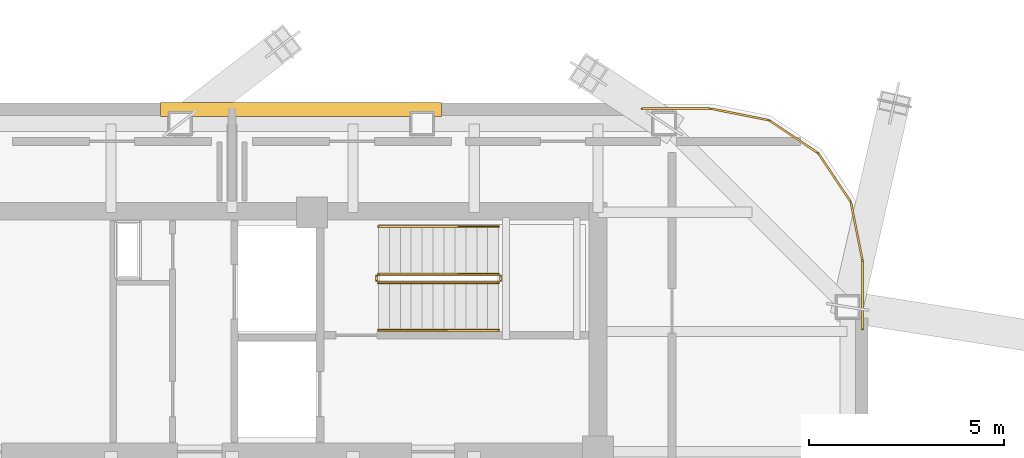
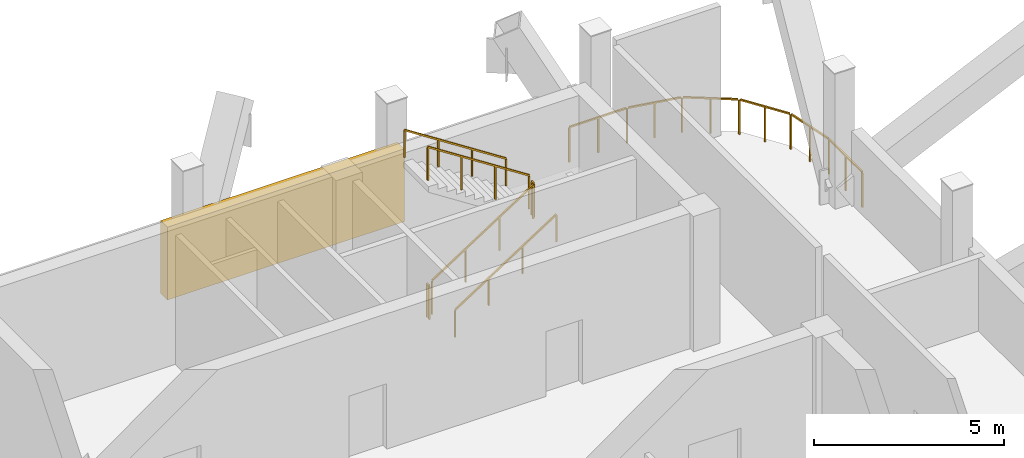
# One storey, part 7 of 7: 7 railings, 1 shading device.
"""IFC4 building model written with IfcOpenShell, lengths in metres."""

from ifc_helpers import new_model, si_unit, direction, frame, origin, origin_2d, place, context, subcontext, project, spatial, rectangle, extrude, material, type_object, element, save


model = new_model("IFC4")

# Units and contexts
model_context = context("Model", 3, precision=1e-05, world=origin(), true_north=direction((0.0, 1.0)))
body_context = subcontext(model_context, "Body", "Model", "MODEL_VIEW")
ifc_project = project(units=[si_unit("LENGTHUNIT", "METRE"), si_unit("AREAUNIT", "SQUARE_METRE"), si_unit("VOLUMEUNIT", "CUBIC_METRE"), si_unit("PLANEANGLEUNIT", "RADIAN"), si_unit("MASSUNIT", "GRAM", prefix="KILO")], contexts=[model_context])

# Site, building, storey
site_placement = place(None, origin())
site = spatial("IfcSite", under=ifc_project, at=site_placement, CompositionType="ELEMENT")
building_placement = place(site_placement, origin())
building = spatial("IfcBuilding", under=site, at=building_placement, Name="Qhalaya Broadcast Tower", CompositionType="ELEMENT")
storey_placement = place(building_placement, frame((0.0, 0.0, 238.5)))
storey = spatial("IfcBuildingStorey", under=building, at=storey_placement, Name="L70", CompositionType="ELEMENT", Elevation=238.5)

# Shading device
ifc_material_1 = material(Name="Fired Architectural Terracotta", Category="masonry")
shading_device_type = type_object("IfcShadingDeviceType", Name="Plant & Turbine-Slot Acoustic Louvre Screen LVS-01", PredefinedType="USERDEFINED", material=ifc_material_1)
shading_device_placement = place(storey_placement, frame((1.77001953125, 12.590087890625, 0.0), z_axis=(0.0, 0.0, 1.0), x_axis=(1.0, 0.0, 0.0)))
element("IfcShadingDevice", 1, at=shading_device_placement, inside=storey, type_object=shading_device_type, Name="L70 Plant Acoustic Louvre Screen N", ObjectType="LOUVRE", PredefinedType="USERDEFINED", context=body_context, shape_type="SweptSolid", body=[
    extrude(rectangle(XDim=7.199951171875, YDim=0.360107421875, at=origin_2d()), origin(), (0.0, 0.0, 1.0), 2.340087890625),
])

# Railings
ifc_material_2 = material(Name="Powder-Coated Galvanised Steel", Category="steel")
railing_type_1 = type_object("IfcRailingType", Name="Stair Wall Handrail 900", PredefinedType="HANDRAIL", material=ifc_material_2)
railing_1_placement = place(storey_placement, frame((3.75, 6.929931640625, 0.18115234375)))
element("IfcRailing", 2, at=railing_1_placement, inside=storey, type_object=railing_type_1, Name="L70 ST-1 Stair Handrail 1", PredefinedType="HANDRAIL", context=body_context, shape_type="SweptSolid", body=[
    extrude(rectangle(XDim=0.048095703125, YDim=0.048095703125, at=origin_2d()), frame((0.0, 0.0, 0.8759765625), z_axis=(0.8394576718, 0.0, 0.543425079708), x_axis=(0.0, 1.0, 0.0)), (0.0, 0.0, 1.0), 3.669189453125),
    extrude(rectangle(XDim=0.0419921875, YDim=0.0419921875, at=origin_2d()), origin(), (0.0, 0.0, 1.0), 0.849853515625),
    extrude(rectangle(XDim=0.0419921875, YDim=0.0419921875, at=origin_2d()), frame((1.026611328125, 0.0, 0.66455078125)), (0.0, 0.0, 1.0), 0.849853515625),
    extrude(rectangle(XDim=0.0419921875, YDim=0.0419921875, at=origin_2d()), frame((2.053466796875, 0.0, 1.329345703125)), (0.0, 0.0, 1.0), 0.849853515625),
    extrude(rectangle(XDim=0.0419921875, YDim=0.0419921875, at=origin_2d()), frame((3.080078125, 0.0, 1.993896484375)), (0.0, 0.0, 1.0), 0.849853515625),
])
railing_2_placement = place(storey_placement, frame((6.830078125, 9.590087890625, 2.356201171875)))
element("IfcRailing", 3, at=railing_2_placement, inside=storey, type_object=railing_type_1, Name="L70 ST-1 Stair Handrail 2", PredefinedType="HANDRAIL", context=body_context, shape_type="SweptSolid", body=[
    extrude(rectangle(XDim=0.048095703125, YDim=0.048095703125, at=origin_2d()), frame((0.0, 0.0, 0.8759765625), z_axis=(-0.8394576718, 0.0, 0.543425079708), x_axis=(0.0, -1.0, 0.0)), (0.0, 0.0, 1.0), 3.669189453125),
    extrude(rectangle(XDim=0.0419921875, YDim=0.0419921875, at=origin_2d()), origin(), (0.0, 0.0, 1.0), 0.849853515625),
    extrude(rectangle(XDim=0.0419921875, YDim=0.0419921875, at=origin_2d()), frame((-1.026611328125, 0.0, 0.66455078125)), (0.0, 0.0, 1.0), 0.849853515625),
    extrude(rectangle(XDim=0.0419921875, YDim=0.0419921875, at=origin_2d()), frame((-2.053466796875, 0.0, 1.329345703125)), (0.0, 0.0, 1.0), 0.849853515625),
    extrude(rectangle(XDim=0.0419921875, YDim=0.0419921875, at=origin_2d()), frame((-3.080078125, 0.0, 1.993896484375)), (0.0, 0.0, 1.0), 0.849853515625),
])
railing_type_2 = type_object("IfcRailingType", Name="Stair Well & Landing Guardrail 1100", PredefinedType="GUARDRAIL", material=ifc_material_2)
railing_3_placement = place(storey_placement, frame((3.75, 8.14990234375, 0.18115234375)))
element("IfcRailing", 4, at=railing_3_placement, inside=storey, type_object=railing_type_2, Name="L70 ST-1 Stair Guard 1", PredefinedType="GUARDRAIL", context=body_context, shape_type="SweptSolid", body=[
    extrude(rectangle(XDim=0.048095703125, YDim=0.048095703125, at=origin_2d()), frame((0.0, 0.0, 1.076171875), z_axis=(0.8394576718, 0.0, 0.543425079708), x_axis=(0.0, 1.0, 0.0)), (0.0, 0.0, 1.0), 3.669189453125),
    extrude(rectangle(XDim=0.0419921875, YDim=0.0419921875, at=origin_2d()), origin(), (0.0, 0.0, 1.0), 1.050048828125),
    extrude(rectangle(XDim=0.0419921875, YDim=0.0419921875, at=origin_2d()), frame((1.026611328125, 0.0, 0.66455078125)), (0.0, 0.0, 1.0), 1.050048828125),
    extrude(rectangle(XDim=0.0419921875, YDim=0.0419921875, at=origin_2d()), frame((2.053466796875, 0.0, 1.329345703125)), (0.0, 0.0, 1.0), 1.050048828125),
    extrude(rectangle(XDim=0.0419921875, YDim=0.0419921875, at=origin_2d()), frame((3.080078125, 0.0, 1.993896484375)), (0.0, 0.0, 1.0), 1.050048828125),
])
railing_4_placement = place(storey_placement, frame((6.8798828125, 8.199951171875, 2.175048828125)))
element("IfcRailing", 5, at=railing_4_placement, inside=storey, type_object=railing_type_2, Name="L70 ST-1 Stair Guard 2", PredefinedType="GUARDRAIL", context=body_context, shape_type="SweptSolid", body=[
    extrude(rectangle(XDim=0.048095703125, YDim=0.048095703125, at=origin_2d()), frame((0.0, 0.0, 1.076171875), z_axis=(0.0, 1.0, 0.0), x_axis=(-1.0, 0.0, 0.0)), (0.0, 0.0, 1.0), 0.1201171875),
    extrude(rectangle(XDim=0.0419921875, YDim=0.0419921875, at=origin_2d()), origin(), (0.0, 0.0, 1.0), 1.050048828125),
    extrude(rectangle(XDim=0.0419921875, YDim=0.0419921875, at=origin_2d()), frame((0.0, 0.1201171875, 0.0)), (0.0, 0.0, 1.0), 1.050048828125),
])
railing_5_placement = place(storey_placement, frame((6.830078125, 8.3701171875, 2.356201171875)))
element("IfcRailing", 6, at=railing_5_placement, inside=storey, type_object=railing_type_2, Name="L70 ST-1 Stair Guard 3", PredefinedType="GUARDRAIL", context=body_context, shape_type="SweptSolid", body=[
    extrude(rectangle(XDim=0.048095703125, YDim=0.048095703125, at=origin_2d()), frame((0.0, 0.0, 1.076171875), z_axis=(-0.8394576718, 0.0, 0.543425079708), x_axis=(0.0, -1.0, 0.0)), (0.0, 0.0, 1.0), 3.669189453125),
    extrude(rectangle(XDim=0.0419921875, YDim=0.0419921875, at=origin_2d()), origin(), (0.0, 0.0, 1.0), 1.050048828125),
    extrude(rectangle(XDim=0.0419921875, YDim=0.0419921875, at=origin_2d()), frame((-1.026611328125, 0.0, 0.66455078125)), (0.0, 0.0, 1.0), 1.050048828125),
    extrude(rectangle(XDim=0.0419921875, YDim=0.0419921875, at=origin_2d()), frame((-2.053466796875, 0.0, 1.329345703125)), (0.0, 0.0, 1.0), 1.050048828125),
    extrude(rectangle(XDim=0.0419921875, YDim=0.0419921875, at=origin_2d()), frame((-3.080078125, 0.0, 1.993896484375)), (0.0, 0.0, 1.0), 1.050048828125),
])
railing_6_placement = place(storey_placement, frame((3.699951171875, 8.199951171875, 0.0)))
element("IfcRailing", 7, at=railing_6_placement, inside=storey, type_object=railing_type_2, Name="L70 ST-1 Stair Guard 4", PredefinedType="GUARDRAIL", context=body_context, shape_type="SweptSolid", body=[
    extrude(rectangle(XDim=0.048095703125, YDim=0.048095703125, at=origin_2d()), frame((0.0, 0.0, 1.076171875), z_axis=(0.0, 1.0, 0.0), x_axis=(-1.0, 0.0, 0.0)), (0.0, 0.0, 1.0), 0.1201171875),
    extrude(rectangle(XDim=0.0419921875, YDim=0.0419921875, at=origin_2d()), origin(), (0.0, 0.0, 1.0), 1.050048828125),
    extrude(rectangle(XDim=0.0419921875, YDim=0.0419921875, at=origin_2d()), frame((0.0, 0.1201171875, 0.0)), (0.0, 0.0, 1.0), 1.050048828125),
])
railing_type_3 = type_object("IfcRailingType", Name="Terrace, Sky-Pool & Lookout Glass Balustrade 1150", PredefinedType="BALUSTRADE", material=ifc_material_2)
railing_7_placement = place(storey_placement, frame((10.501953125, 12.610107421875, 0.0)))
element("IfcRailing", 8, at=railing_7_placement, inside=storey, type_object=railing_type_3, Name="L70 Rounded Corner Perimeter Guard 04", PredefinedType="BALUSTRADE", context=body_context, shape_type="SweptSolid", body=[
    extrude(rectangle(XDim=0.048095703125, YDim=0.048095703125, at=origin_2d()), frame((0.0, 0.0, 1.1259765625), z_axis=(1.0, 0.0, 0.0), x_axis=(0.0, 1.0, 0.0)), (0.0, 0.0, 1.0), 1.7275390625),
    extrude(rectangle(XDim=0.048095703125, YDim=0.048095703125, at=origin_2d()), frame((1.78466796875, -0.005615234375, 1.1259765625), z_axis=(0.980771099361, -0.195161601391, 0.0), x_axis=(0.195161601391, 0.980771099361, 0.0)), (0.0, 0.0, 1.0), 1.46728515625),
    extrude(rectangle(XDim=0.048095703125, YDim=0.048095703125, at=origin_2d()), frame((3.27587890625, -0.313720703125, 1.1259765625), z_axis=(0.83147889372, -0.555556342146, 0.0), x_axis=(0.555556342146, 0.83147889372, 0.0)), (0.0, 0.0, 1.0), 1.455322265625),
    extrude(rectangle(XDim=0.048095703125, YDim=0.048095703125, at=origin_2d()), frame((4.526123046875, -1.162109375, 1.1259765625), z_axis=(0.555556342146, -0.83147889372, 0.0), x_axis=(0.83147889372, 0.555556342146, 0.0)), (0.0, 0.0, 1.0), 1.455322265625),
    extrude(rectangle(XDim=0.048095703125, YDim=0.048095703125, at=origin_2d()), frame((5.356201171875, -2.424560546875, 1.1259765625), z_axis=(0.195007592307, -0.980801732738, 0.0), x_axis=(0.980801732738, 0.195007592307, 0.0)), (0.0, 0.0, 1.0), 1.46728515625),
    extrude(rectangle(XDim=0.048095703125, YDim=0.048095703125, at=origin_2d()), frame((5.64794921875, -3.920654296875, 1.1259765625), z_axis=(0.0, -1.0, 0.0), x_axis=(1.0, 0.0, 0.0)), (0.0, 0.0, 1.0), 1.7275390625),
    extrude(rectangle(XDim=0.0419921875, YDim=0.0419921875, at=origin_2d()), origin(), (0.0, 0.0, 1.0), 1.099853515625),
    extrude(rectangle(XDim=0.0419921875, YDim=0.0419921875, at=origin_2d()), frame((0.878173828125, 0.0, 0.0)), (0.0, 0.0, 1.0), 1.099853515625),
    extrude(rectangle(XDim=0.0419921875, YDim=0.0419921875, at=origin_2d()), frame((1.75634765625, 0.0, 0.0)), (0.0, 0.0, 1.0), 1.099853515625),
    extrude(rectangle(XDim=0.0419921875, YDim=0.0419921875, at=origin_2d()), frame((2.504150390625, -0.14892578125, 0.0)), (0.0, 0.0, 1.0), 1.099853515625),
    extrude(rectangle(XDim=0.0419921875, YDim=0.0419921875, at=origin_2d()), frame((3.251953125, -0.297607421875, 0.0)), (0.0, 0.0, 1.0), 1.099853515625),
    extrude(rectangle(XDim=0.0419921875, YDim=0.0419921875, at=origin_2d()), frame((3.880859375, -0.7177734375, 0.0)), (0.0, 0.0, 1.0), 1.099853515625),
    extrude(rectangle(XDim=0.0419921875, YDim=0.0419921875, at=origin_2d()), frame((4.510009765625, -1.13818359375, 0.0)), (0.0, 0.0, 1.0), 1.099853515625),
    extrude(rectangle(XDim=0.0419921875, YDim=0.0419921875, at=origin_2d()), frame((4.93017578125, -1.76708984375, 0.0)), (0.0, 0.0, 1.0), 1.099853515625),
    extrude(rectangle(XDim=0.0419921875, YDim=0.0419921875, at=origin_2d()), frame((5.3505859375, -2.396240234375, 0.0)), (0.0, 0.0, 1.0), 1.099853515625),
    extrude(rectangle(XDim=0.0419921875, YDim=0.0419921875, at=origin_2d()), frame((5.499267578125, -3.14404296875, 0.0)), (0.0, 0.0, 1.0), 1.099853515625),
    extrude(rectangle(XDim=0.0419921875, YDim=0.0419921875, at=origin_2d()), frame((5.64794921875, -3.891845703125, 0.0)), (0.0, 0.0, 1.0), 1.099853515625),
    extrude(rectangle(XDim=0.0419921875, YDim=0.0419921875, at=origin_2d()), frame((5.64794921875, -4.77001953125, 0.0)), (0.0, 0.0, 1.0), 1.099853515625),
    extrude(rectangle(XDim=0.0419921875, YDim=0.0419921875, at=origin_2d()), frame((5.64794921875, -5.648193359375, 0.0)), (0.0, 0.0, 1.0), 1.099853515625),
])

save(model, "model.ifc")
